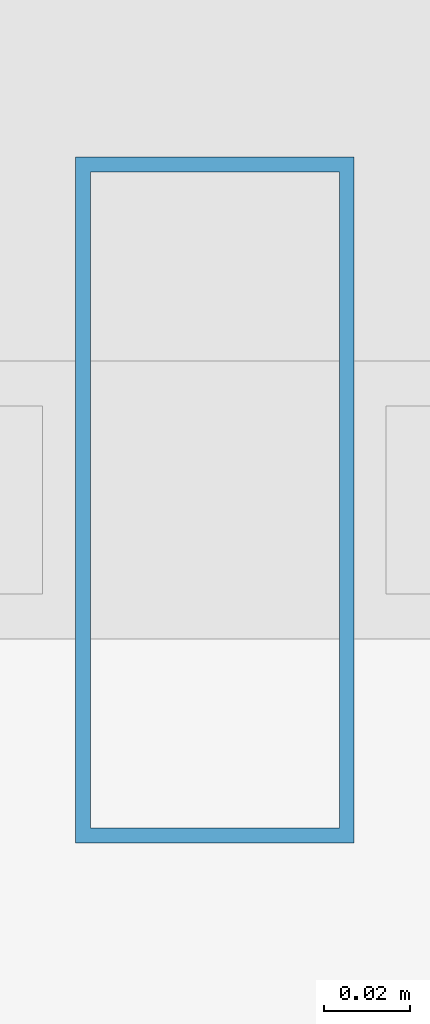
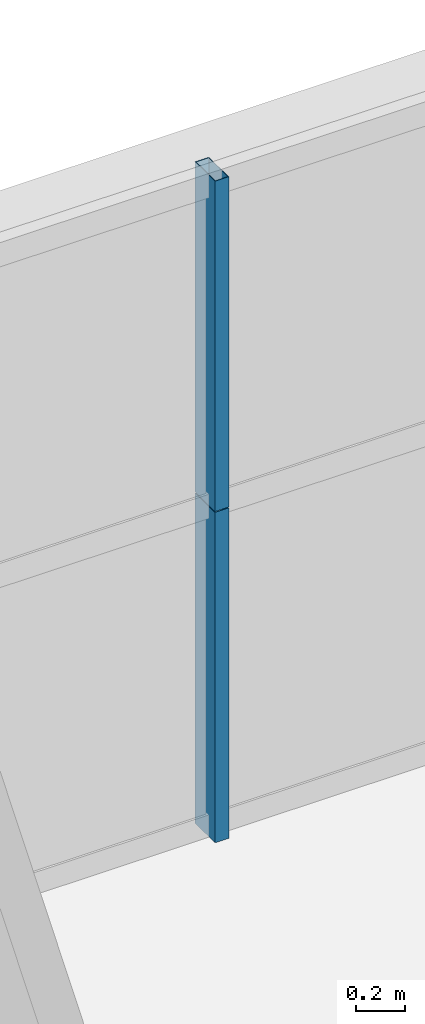
# One storey, part 27 of 38: 2 members, 1 element without a shape of its own.
"""IFC4 building model written with IfcOpenShell, lengths in metres."""

import ifcopenshell
import ifcopenshell.guid

model = None  # the IFC model being written
_history = None  # IfcOwnerHistory: only IFC2X3 demands one
_inside = {}  # id of a spatial element -> (the spatial element, [elements in it])
_under = {}  # id of a project, library or spatial element -> (it, [spatial elements below it])
_declared = {}  # id of a project -> (the project, [libraries it declares])
_typed = {}  # id of a type object -> (the type object, [elements of that type])
_made_of = {}  # id of a material, layer set ... -> (it, [elements and type objects made of it])


def new_model(schema):
    """Start an empty IFC model of exactly this schema.

    Asked for "IFC4X3", IfcOpenShell would pick the latest addendum, in which some entities
    have other attributes; the version numbers below select the first issue.
    IFC2X3 requires an IfcOwnerHistory on every rooted entity: one is made here for all.
    """
    global model, _history
    if schema == "IFC4X3":
        model = ifcopenshell.file(schema_version=(4, 3, 0, 0))
    else:
        model = ifcopenshell.file(schema=schema)
    _inside.clear()
    _under.clear()
    _declared.clear()
    _typed.clear()
    _made_of.clear()
    _history = None
    if model.schema == "IFC2X3":
        org = make("IfcOrganization", Name="unknown")
        user = make(
            "IfcPersonAndOrganization",
            ThePerson=make("IfcPerson", FamilyName="unknown"),
            TheOrganization=org,
        )
        app = make(
            "IfcApplication",
            ApplicationDeveloper=org,
            Version="unknown",
            ApplicationFullName="unknown",
            ApplicationIdentifier="unknown",
        )
        _history = make(
            "IfcOwnerHistory",
            OwningUser=user,
            OwningApplication=app,
            ChangeAction="ADDED",
            CreationDate=0,
        )
    return model


def make(cls, **values):
    """One entity of the class cls with the attributes given. An attribute that is None is left unset."""
    return model.create_entity(
        cls, **{name: value for name, value in values.items() if value is not None}
    )


def rooted(cls, **values):
    """An entity with a GlobalId (a new one), such as an element, a storey or a relation."""
    return make(cls, GlobalId=ifcopenshell.guid.new(), OwnerHistory=_history, **values)


def si_unit(unit_type, name, prefix=None):
    """IfcSIUnit, for example si_unit("LENGTHUNIT", "METRE", prefix="MILLI")."""
    return make("IfcSIUnit", UnitType=unit_type, Prefix=prefix, Name=name)


def assignment(units):
    """IfcUnitAssignment: the units of a project."""
    return None if units is None else make("IfcUnitAssignment", Units=units)


def point(xyz):
    """IfcCartesianPoint."""
    return None if xyz is None else make("IfcCartesianPoint", Coordinates=xyz)


def direction(xyz):
    """IfcDirection."""
    return None if xyz is None else make("IfcDirection", DirectionRatios=xyz)


def frame(location, z_axis=None, x_axis=None):
    """IfcAxis2Placement3D, a coordinate frame: its origin and axes. An axis left out is left unset."""
    return make(
        "IfcAxis2Placement3D",
        Location=point(location),
        Axis=direction(z_axis),
        RefDirection=direction(x_axis),
    )


def frame_2d(location, x_axis=None):
    """IfcAxis2Placement2D, a coordinate frame in the plane: its origin and x axis."""
    return make(
        "IfcAxis2Placement2D", Location=point(location), RefDirection=direction(x_axis)
    )


def origin():
    """The frame at (0, 0, 0) with its axes left unset."""
    return frame((0.0, 0.0, 0.0))


def origin_2d():
    """The frame at (0, 0) in the plane with its x axis left unset."""
    return frame_2d((0.0, 0.0))


def place(relative_to, where):
    """IfcLocalPlacement: puts the frame where relative to a parent placement (None: the world)."""
    return make(
        "IfcLocalPlacement", PlacementRelTo=relative_to, RelativePlacement=where
    )


def context(
    kind, dimensions, precision=None, world=None, true_north=None, identifier=None
):
    """IfcGeometricRepresentationContext, for example the 3D "Model" context."""
    return make(
        "IfcGeometricRepresentationContext",
        ContextIdentifier=identifier,
        ContextType=kind,
        CoordinateSpaceDimension=dimensions,
        Precision=precision,
        WorldCoordinateSystem=world,
        TrueNorth=true_north,
    )


def subcontext(parent, identifier, kind, view, scale=None):
    """IfcGeometricRepresentationSubContext, for example "Body" below "Model"."""
    return make(
        "IfcGeometricRepresentationSubContext",
        ContextIdentifier=identifier,
        ContextType=kind,
        ParentContext=parent,
        TargetScale=scale,
        TargetView=view,
    )


def project(units=None, contexts=None):
    """IfcProject with its units and contexts."""
    return rooted(
        "IfcProject",
        Name="project",
        RepresentationContexts=contexts,
        UnitsInContext=assignment(units),
    )


def spatial(cls, under=None, at=None, **own):
    """A site, building, storey or space (cls), placed at a placement, below another one or the project."""
    s = rooted(cls, ObjectPlacement=at, **own)
    if under is not None:
        _under.setdefault(under.id(), (under, []))[1].append(s)
    return s


def profile(cls, at=None, kind="AREA", **sizes):
    """A parametric profile (cls). Its sizes go by their IFC names, for example OverallWidth=200.0."""
    return make(cls, ProfileType=kind, Position=at, **sizes)


def hollow_rectangle(**sizes):
    """IfcRectangleHollowProfileDef."""
    return profile("IfcRectangleHollowProfileDef", **sizes)


def extrude(swept, where, along, depth):
    """IfcExtrudedAreaSolid: the profile swept, set in the frame where, extruded along a direction by depth."""
    return make(
        "IfcExtrudedAreaSolid",
        SweptArea=swept,
        Position=where,
        ExtrudedDirection=direction(along),
        Depth=depth,
    )


def shape(context_of_items, identifier, shape_type, items):
    """IfcShapeRepresentation: the items that make up one representation, for example the "Body"."""
    return make(
        "IfcShapeRepresentation",
        ContextOfItems=context_of_items,
        RepresentationIdentifier=identifier,
        RepresentationType=shape_type,
        Items=items,
    )


def source(mapping_origin, context_of_items, identifier, shape_type, items):
    """IfcRepresentationMap: a shape defined once, which mapped items show again and again."""
    return make(
        "IfcRepresentationMap",
        MappingOrigin=mapping_origin,
        MappedRepresentation=shape(context_of_items, identifier, shape_type, items),
    )


def transform(
    local_origin,
    x_axis=None,
    y_axis=None,
    z_axis=None,
    scale=None,
    scale2=None,
    scale3=None,
    uniform=True,
):
    """IfcCartesianTransformationOperator3D, or its non-uniform kind. x_axis, y_axis, z_axis: its Axis1, 2, 3."""
    if uniform:
        return make(
            "IfcCartesianTransformationOperator3D",
            Axis1=direction(x_axis),
            Axis2=direction(y_axis),
            LocalOrigin=point(local_origin),
            Scale=scale,
            Axis3=direction(z_axis),
        )
    return make(
        "IfcCartesianTransformationOperator3DnonUniform",
        Axis1=direction(x_axis),
        Axis2=direction(y_axis),
        LocalOrigin=point(local_origin),
        Scale=scale,
        Axis3=direction(z_axis),
        Scale2=scale2,
        Scale3=scale3,
    )


def mapped(mapping_source, mapping_target):
    """IfcMappedItem: shows the shape of a source again, moved by a transform."""
    return make(
        "IfcMappedItem", MappingSource=mapping_source, MappingTarget=mapping_target
    )


def material(Name=None, Category=None):
    """IfcMaterial."""
    return make("IfcMaterial", Name=Name, Category=Category)


def layer(
    of_material, thickness, ventilated=None, Name=None, Category=None, Priority=None
):
    """IfcMaterialLayer: one layer of a wall or slab, of a material (None: an air gap)."""
    return make(
        "IfcMaterialLayer",
        Material=of_material,
        LayerThickness=thickness,
        IsVentilated=ventilated,
        Name=Name,
        Category=Category,
        Priority=Priority,
    )


def layer_set(layers, Name=None):
    """IfcMaterialLayerSet."""
    return make("IfcMaterialLayerSet", MaterialLayers=layers, LayerSetName=Name)


def material_profile(
    of_material, cross_section, Name=None, Category=None, Priority=None
):
    """IfcMaterialProfile: a cross section and its material."""
    return make(
        "IfcMaterialProfile",
        Name=Name,
        Material=of_material,
        Profile=cross_section,
        Priority=Priority,
        Category=Category,
    )


def profile_set(profiles, Name=None, composite=None):
    """IfcMaterialProfileSet."""
    return make(
        "IfcMaterialProfileSet",
        Name=Name,
        MaterialProfiles=profiles,
        CompositeProfile=composite,
    )


def made_of(thing, what):
    """Note that an element or type object is made of a material, layer set ...; save() writes the relation."""
    if what is not None:
        _made_of.setdefault(what.id(), (what, []))[1].append(thing)
    return thing


def type_object(cls, material=None, **own):
    """A type object (cls), such as IfcWallType, which elements share."""
    return made_of(rooted(cls, **own), material)


def element(
    cls,
    number,
    at=None,
    inside=None,
    cuts=None,
    type_object=None,
    material=None,
    context=None,
    identifier="Body",
    shape_type=None,
    held_by="IfcProductDefinitionShape",
    body=None,
    shapes=None,
    **own,
):
    """One element of the class cls, such as IfcWall. Its Tag is "e" and its number.

    at: its placement. inside: the storey or other place that contains it. cuts: it is an
    opening in that element (IfcRelVoidsElement). A single representation is given by context,
    identifier, shape_type and body (its items); several are given by shapes. held_by: the class
    of the entity that holds the representations. save() writes the other relations.
    """
    e = rooted(cls, Tag="e%d" % number, ObjectPlacement=at, **own)
    if body is not None:
        shapes = [shape(context, identifier, shape_type, body)]
    if shapes is not None:
        e.Representation = make(held_by, Representations=shapes)
    if inside is not None:
        _inside.setdefault(inside.id(), (inside, []))[1].append(e)
    if cuts is not None:
        rooted(
            "IfcRelVoidsElement", RelatingBuildingElement=cuts, RelatedOpeningElement=e
        )
    if type_object is not None:
        _typed.setdefault(type_object.id(), (type_object, []))[1].append(e)
    return made_of(e, material)


def aggregate(whole, parts):
    """IfcRelAggregates: a whole, such as a stair, and the parts it consists of."""
    return rooted("IfcRelAggregates", RelatingObject=whole, RelatedObjects=parts)


def save(model, path):
    """Write the relations noted so far, then the file.

    IfcRelAggregates (storeys below a building ...), IfcRelContainedInSpatialStructure (elements
    in a storey), IfcRelDefinesByType, IfcRelAssociatesMaterial and IfcRelDeclares: one each for
    every whole, place, type object, material and project.
    """
    for whole, parts in _under.values():
        aggregate(whole, parts)
    for where, things in _inside.values():
        rooted(
            "IfcRelContainedInSpatialStructure",
            RelatedElements=things,
            RelatingStructure=where,
        )
    for kind, things in _typed.values():
        rooted("IfcRelDefinesByType", RelatedObjects=things, RelatingType=kind)
    for what, things in _made_of.values():
        rooted("IfcRelAssociatesMaterial", RelatedObjects=things, RelatingMaterial=what)
    for by, libraries in _declared.values():
        rooted("IfcRelDeclares", RelatingContext=by, RelatedDefinitions=libraries)
    model.write(path)


model = new_model("IFC4")

# Units and contexts
model_context = context("Model", 3, precision=1e-05, world=origin(), true_north=direction((0.0, 1.0)))
body_context = subcontext(model_context, "Body", "Model", "MODEL_VIEW")
ifc_project = project(units=[si_unit("LENGTHUNIT", "METRE"), si_unit("AREAUNIT", "SQUARE_METRE"), si_unit("VOLUMEUNIT", "CUBIC_METRE"), si_unit("PLANEANGLEUNIT", "RADIAN"), si_unit("MASSUNIT", "GRAM", prefix="KILO"), si_unit("THERMODYNAMICTEMPERATUREUNIT", "KELVIN"), si_unit("POWERUNIT", "WATT")], contexts=[model_context])

# Site, building, storey
site_placement = place(None, origin())
site = spatial("IfcSite", under=ifc_project, at=site_placement, CompositionType="ELEMENT")
building_placement = place(site_placement, origin())
building = spatial("IfcBuilding", under=site, at=building_placement, Name="Yuzanri Waterfront Tower", CompositionType="ELEMENT")
storey_placement = place(building_placement, frame((0.0, 0.0, 181.0)))
storey = spatial("IfcBuildingStorey", under=building, at=storey_placement, Name="L47", CompositionType="ELEMENT", Elevation=181.0)

# Curtain wall, members
ifc_material_1 = material(Name="Anodized Architectural Bronze", Category="metal")
ifc_layer = layer(ifc_material_1, 0.159912109375)
ifc_layer_set = layer_set([ifc_layer], Name="Anodized Architectural Bronze")
curtain_wall_type = type_object("IfcCurtainWallType", Name="Anodized Bronze Mid-Rise Residential Acoustic Unitized Curtain Wall 7200", PredefinedType="NOTDEFINED", material=ifc_layer_set)
curtain_wall_placement = place(storey_placement, origin())
curtain_wall = element("IfcCurtainWall", 1, at=curtain_wall_placement, inside=storey, type_object=curtain_wall_type, Name="L47 Curtain Wall CW-L47-NL", PredefinedType="NOTDEFINED")
ifc_material_2 = material(Name="Anodized Architectural Bronze", Category="metal")
ifc_material_profile = material_profile(ifc_material_2, hollow_rectangle(XDim=0.06494140625, YDim=0.159912109375, WallThickness=0.00341796875, at=origin_2d()), Name="CWM 65x160")
ifc_profile_set = profile_set([ifc_material_profile], Name="Anodized Architectural Bronze")
member_type = type_object("IfcMemberType", Name="Anodized Bronze Upper-Zone Curtain-Wall Mullion 65x160", PredefinedType="MULLION", material=ifc_profile_set)
shared_shape = source(origin(), body_context, "Body", "SweptSolid", [
    extrude(hollow_rectangle(XDim=0.06494140625, YDim=0.159912109375, WallThickness=0.00341796875, at=origin_2d()), origin(), (0.0, 0.0, 1.0), 1.637939453125),
])
member_1_placement = place(storey_placement, frame((29.425048828125, 47.75, 0.0), z_axis=(0.0, 0.0, 1.0), x_axis=(1.0, 0.0, 0.0)))
member_1 = element("IfcMember", 2, at=member_1_placement, type_object=member_type, Name="CW-L47-NL Lower Mullion 01", PredefinedType="MULLION", context=body_context, shape_type="MappedRepresentation", body=[
    mapped(shared_shape, transform((0.0, 0.0, 0.0), scale=1.0)),
])
member_2_placement = place(storey_placement, frame((29.425048828125, 47.75, 1.64208984375), z_axis=(0.0, 0.0, 1.0), x_axis=(1.0, 0.0, 0.0)))
member_2 = element("IfcMember", 3, at=member_2_placement, type_object=member_type, Name="CW-L47-NL Upper Mullion 01", PredefinedType="MULLION", context=body_context, shape_type="MappedRepresentation", body=[
    mapped(shared_shape, transform((0.0, 0.0, 0.0), scale=1.0)),
])
aggregate(curtain_wall, [member_1, member_2])

save(model, "model.ifc")
